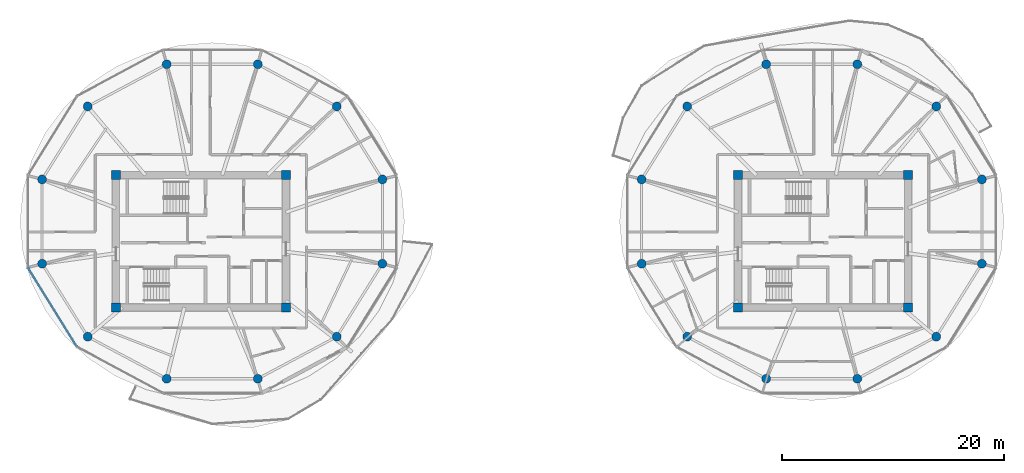
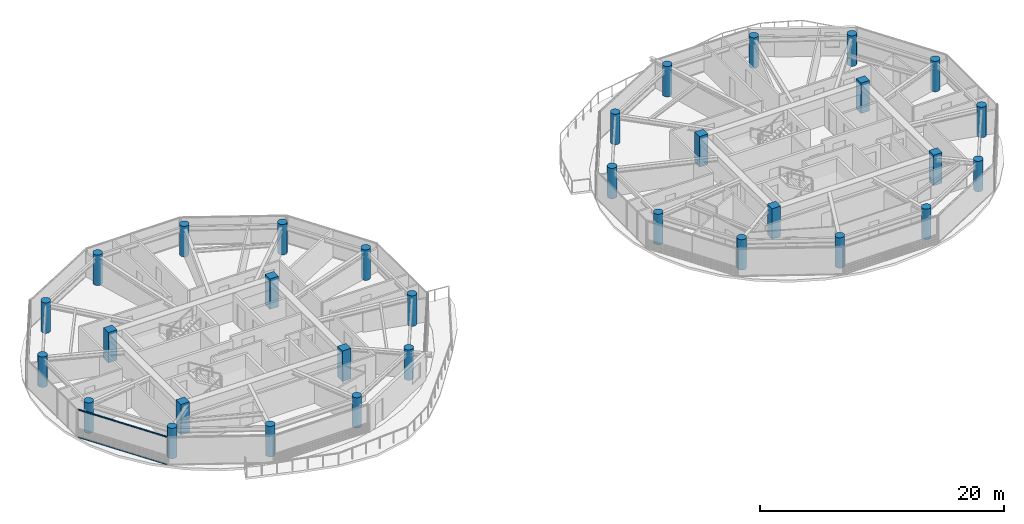
# One storey, part 1 of 22: 32 columns, 2 members, 1 element without a shape of its own.
"""IFC4 building model written with IfcOpenShell, lengths in metres."""

from ifc_helpers import new_model, si_unit, direction, frame, origin, origin_2d, place, context, subcontext, project, spatial, rectangle, circle, extrude, source, transform, mapped, material, layer, layer_set, material_profile, profile_set, type_object, type_shapes, element, aggregate, save


model = new_model("IFC4")

# Units and contexts
model_context = context("Model", 3, precision=1e-05, world=origin(), true_north=direction((0.0, 1.0)))
body_context = subcontext(model_context, "Body", "Model", "MODEL_VIEW")
ifc_project = project(units=[si_unit("LENGTHUNIT", "METRE"), si_unit("AREAUNIT", "SQUARE_METRE"), si_unit("VOLUMEUNIT", "CUBIC_METRE"), si_unit("PLANEANGLEUNIT", "RADIAN"), si_unit("MASSUNIT", "GRAM", prefix="KILO")], contexts=[model_context])

# Site, building, storey
site_placement = place(None, origin())
site = spatial("IfcSite", under=ifc_project, at=site_placement, CompositionType="ELEMENT")
building_placement = place(site_placement, origin())
building = spatial("IfcBuilding", under=site, at=building_placement, Name="Norrkilde Senior Care Towers", CompositionType="ELEMENT")
storey_placement = place(building_placement, frame((0.0, 0.0, 180.050048828125)))
storey = spatial("IfcBuildingStorey", under=building, at=storey_placement, Name="L56", CompositionType="ELEMENT", Elevation=180.050048828125)

# Columns
ifc_material_1 = material(Name="Concrete C60/75", Category="concrete")
ifc_material_profile_1 = material_profile(ifc_material_1, rectangle(XDim=0.800048828125, YDim=0.800048828125, at=origin_2d()), Name="RC COL 800x800")
ifc_profile_set_1 = profile_set([ifc_material_profile_1], Name="Concrete C60/75")
column_type_1 = type_object("IfcColumnType", Name="Column Core Corner Z3-Z4 800", PredefinedType="COLUMN", material=ifc_profile_set_1)
shared_shape_1 = source(origin(), body_context, "Body", "SweptSolid", [
    extrude(rectangle(XDim=0.800048828125, YDim=0.800048828125, at=origin_2d()), origin(), (0.0, 0.0, 1.0), 3.050048828125),
])
type_shapes(column_type_1, [shared_shape_1])
for number, where, z_axis, x_axis, name in (
    (1, (-35.64990234375, -5.949951171875, 0.0), (0.0, 0.0, 1.0), (1.0, 0.0, 0.0), "L56 Core W Corner Column 1"),
    (2, (-20.35009765625, -5.949951171875, 0.0), (0.0, 0.0, 1.0), (1.0, 0.0, 0.0), "L56 Core W Corner Column 2"),
    (3, (-20.35009765625, 5.949951171875, 0.0), (0.0, 0.0, 1.0), (1.0, 0.0, 0.0), "L56 Core W Corner Column 3"),
    (4, (-35.64990234375, 5.949951171875, 0.0), (0.0, 0.0, 1.0), (1.0, 0.0, 0.0), "L56 Core W Corner Column 4"),
    (5, (20.35009765625, -5.949951171875, 0.0), (0.0, 0.0, 1.0), (1.0, 0.0, 0.0), "L56 Core E Corner Column 1"),
    (6, (35.64990234375, -5.949951171875, 0.0), (0.0, 0.0, 1.0), (1.0, 0.0, 0.0), "L56 Core E Corner Column 2"),
    (7, (35.64990234375, 5.949951171875, 0.0), (0.0, 0.0, 1.0), (1.0, 0.0, 0.0), "L56 Core E Corner Column 3"),
    (8, (20.35009765625, 5.949951171875, 0.0), (0.0, 0.0, 1.0), (1.0, 0.0, 0.0), "L56 Core E Corner Column 4"),
):
    element("IfcColumn", number, at=place(storey_placement, frame(where, z_axis=z_axis, x_axis=x_axis)), inside=storey, type_object=column_type_1, Name=name, PredefinedType="COLUMN", context=body_context, shape_type="MappedRepresentation", body=[
        mapped(shared_shape_1, transform((0.0, 0.0, 0.0), x_axis=(1.0, 0.0, 0.0), y_axis=(0.0, 1.0, 0.0), z_axis=(0.0, 0.0, 1.0), scale=1.0)),
    ])
ifc_material_2 = material(Name="Concrete C50/60", Category="concrete")
ifc_material_profile_2 = material_profile(ifc_material_2, circle(Radius=0.39990234375, at=origin_2d()), Name="RC CIR 800")
ifc_profile_set_2 = profile_set([ifc_material_profile_2], Name="Concrete C50/60")
column_type_2 = type_object("IfcColumnType", Name="Column Perimeter Z3 800", PredefinedType="COLUMN", material=ifc_profile_set_2)
shared_shape_2 = source(origin(), body_context, "Body", "SweptSolid", [
    extrude(circle(Radius=0.39990234375, at=origin_2d()), origin(), (0.0, 0.0, 1.0), 3.050048828125),
])
type_shapes(column_type_2, [shared_shape_2])
for number, where, z_axis, x_axis, name in (
    (9, (-11.6650390625, 5.567138671875, 0.0), (0.0, 0.0, 1.0), (1.0, 0.0, 0.0), "L56 Drum W Perimeter Column 01"),
    (10, (-15.767333984375, 12.134521484375, 0.0), (0.0, 0.0, 1.0), (1.0, 0.0, 0.0), "L56 Drum W Perimeter Column 02"),
    (11, (-22.872802734375, 15.92626953125, 0.0), (0.0, 0.0, 1.0), (1.0, 0.0, 0.0), "L56 Drum W Perimeter Column 03"),
    (12, (-31.077392578125, 15.92626953125, 0.0), (0.0, 0.0, 1.0), (1.0, 0.0, 0.0), "L56 Drum W Perimeter Column 04"),
    (13, (-38.1826171875, 12.134521484375, 0.0), (0.0, 0.0, 1.0), (1.0, 0.0, 0.0), "L56 Drum W Perimeter Column 05"),
    (14, (-42.284912109375, 5.567138671875, 0.0), (0.0, 0.0, 1.0), (1.0, 0.0, 0.0), "L56 Drum W Perimeter Column 06"),
    (15, (-42.284912109375, -2.016357421875, 0.0), (0.0, 0.0, 1.0), (1.0, 0.0, 0.0), "L56 Drum W Perimeter Column 07"),
    (16, (-38.1826171875, -8.583740234375, 0.0), (0.0, 0.0, 1.0), (1.0, 0.0, 0.0), "L56 Drum W Perimeter Column 08"),
    (17, (-31.077392578125, -12.37548828125, 0.0), (0.0, 0.0, 1.0), (1.0, 0.0, 0.0), "L56 Drum W Perimeter Column 09"),
    (18, (-22.872802734375, -12.37548828125, 0.0), (0.0, 0.0, 1.0), (1.0, 0.0, 0.0), "L56 Drum W Perimeter Column 10"),
    (19, (-15.767333984375, -8.583740234375, 0.0), (0.0, 0.0, 1.0), (1.0, 0.0, 0.0), "L56 Drum W Perimeter Column 11"),
    (20, (-11.6650390625, -2.016357421875, 0.0), (0.0, 0.0, 1.0), (1.0, 0.0, 0.0), "L56 Drum W Perimeter Column 12"),
    (21, (42.284912109375, 5.567138671875, 0.0), (0.0, 0.0, 1.0), (1.0, 0.0, 0.0), "L56 Drum E Perimeter Column 01"),
    (22, (38.1826171875, 12.134521484375, 0.0), (0.0, 0.0, 1.0), (1.0, 0.0, 0.0), "L56 Drum E Perimeter Column 02"),
    (23, (31.077392578125, 15.92626953125, 0.0), (0.0, 0.0, 1.0), (1.0, 0.0, 0.0), "L56 Drum E Perimeter Column 03"),
    (24, (22.872802734375, 15.92626953125, 0.0), (0.0, 0.0, 1.0), (1.0, 0.0, 0.0), "L56 Drum E Perimeter Column 04"),
    (25, (15.767333984375, 12.134521484375, 0.0), (0.0, 0.0, 1.0), (1.0, 0.0, 0.0), "L56 Drum E Perimeter Column 05"),
    (26, (11.6650390625, 5.567138671875, 0.0), (0.0, 0.0, 1.0), (1.0, 0.0, 0.0), "L56 Drum E Perimeter Column 06"),
    (27, (11.6650390625, -2.016357421875, 0.0), (0.0, 0.0, 1.0), (1.0, 0.0, 0.0), "L56 Drum E Perimeter Column 07"),
    (28, (15.767333984375, -8.583740234375, 0.0), (0.0, 0.0, 1.0), (1.0, 0.0, 0.0), "L56 Drum E Perimeter Column 08"),
    (29, (22.872802734375, -12.37548828125, 0.0), (0.0, 0.0, 1.0), (1.0, 0.0, 0.0), "L56 Drum E Perimeter Column 09"),
    (30, (31.077392578125, -12.37548828125, 0.0), (0.0, 0.0, 1.0), (1.0, 0.0, 0.0), "L56 Drum E Perimeter Column 10"),
    (31, (38.1826171875, -8.583740234375, 0.0), (0.0, 0.0, 1.0), (1.0, 0.0, 0.0), "L56 Drum E Perimeter Column 11"),
    (32, (42.284912109375, -2.016357421875, 0.0), (0.0, 0.0, 1.0), (1.0, 0.0, 0.0), "L56 Drum E Perimeter Column 12"),
):
    element("IfcColumn", number, at=place(storey_placement, frame(where, z_axis=z_axis, x_axis=x_axis)), inside=storey, type_object=column_type_2, Name=name, PredefinedType="COLUMN", context=body_context, shape_type="MappedRepresentation", body=[
        mapped(shared_shape_2, transform((0.0, 0.0, 0.0), x_axis=(1.0, 0.0, 0.0), y_axis=(0.0, 1.0, 0.0), z_axis=(0.0, 0.0, 1.0), scale=1.0)),
    ])

# Curtain wall, members
ifc_material_3 = material(Name="Triple Low-E Insulated Glazing", Category="glass")
ifc_layer = layer(ifc_material_3, 0.18994140625)
ifc_layer_set = layer_set([ifc_layer], Name="Triple Low-E Insulated Glazing")
curtain_wall_type = type_object("IfcCurtainWallType", Name="CW4 Zone 3 Senior Residence Curtain Wall", PredefinedType="NOTDEFINED", material=ifc_layer_set)
curtain_wall_placement = place(storey_placement, origin())
curtain_wall = element("IfcCurtainWall", 33, at=curtain_wall_placement, inside=storey, type_object=curtain_wall_type, Name="L56 Drum W Curtain Wall 06", PredefinedType="NOTDEFINED")
ifc_material_4 = material(Name="Anodised Aluminium", Category="aluminium")
ifc_material_profile_3 = material_profile(ifc_material_4, rectangle(XDim=0.06005859375, YDim=0.1201171875, at=origin_2d()), Name="ALU TRAN 60x120")
ifc_profile_set_3 = profile_set([ifc_material_profile_3], Name="Anodised Aluminium")
member_type = type_object("IfcMemberType", Name="Curtain Wall Transom Typical 60x120", PredefinedType="USERDEFINED", material=ifc_profile_set_3)
shared_shape_3 = source(origin(), body_context, "Body", "SweptSolid", [
    extrude(rectangle(XDim=0.06005859375, YDim=0.1201171875, at=origin_2d()), origin(), (0.0, 0.0, 1.0), 8.301513671875),
])
type_shapes(member_type, [shared_shape_3])
member_1_placement = place(storey_placement, frame((-39.157470703125, -9.468994140625, 0.030029296875), z_axis=(-0.527368718394, 0.849636531029, 0.0), x_axis=(-0.849636531029, -0.527368718394, 0.0)))
member_1 = element("IfcMember", 34, at=member_1_placement, type_object=member_type, Name="CW-4 transom 1.1", ObjectType="TRANSOM", PredefinedType="USERDEFINED", context=body_context, shape_type="MappedRepresentation", body=[
    mapped(shared_shape_3, transform((0.0, 0.0, 0.0), x_axis=(1.0, 0.0, 0.0), y_axis=(0.0, 1.0, 0.0), z_axis=(0.0, 0.0, 1.0), scale=1.0)),
])
member_2_placement = place(storey_placement, frame((-39.157470703125, -9.468994140625, 2.780029296875), z_axis=(-0.527368718394, 0.849636531029, 0.0), x_axis=(-0.849636531029, -0.527368718394, 0.0)))
member_2 = element("IfcMember", 35, at=member_2_placement, type_object=member_type, Name="CW-4 transom 1.2", ObjectType="TRANSOM", PredefinedType="USERDEFINED", context=body_context, shape_type="MappedRepresentation", body=[
    mapped(shared_shape_3, transform((0.0, 0.0, 0.0), x_axis=(1.0, 0.0, 0.0), y_axis=(0.0, 1.0, 0.0), z_axis=(0.0, 0.0, 1.0), scale=1.0)),
])
aggregate(curtain_wall, [member_1, member_2])

save(model, "model.ifc")
